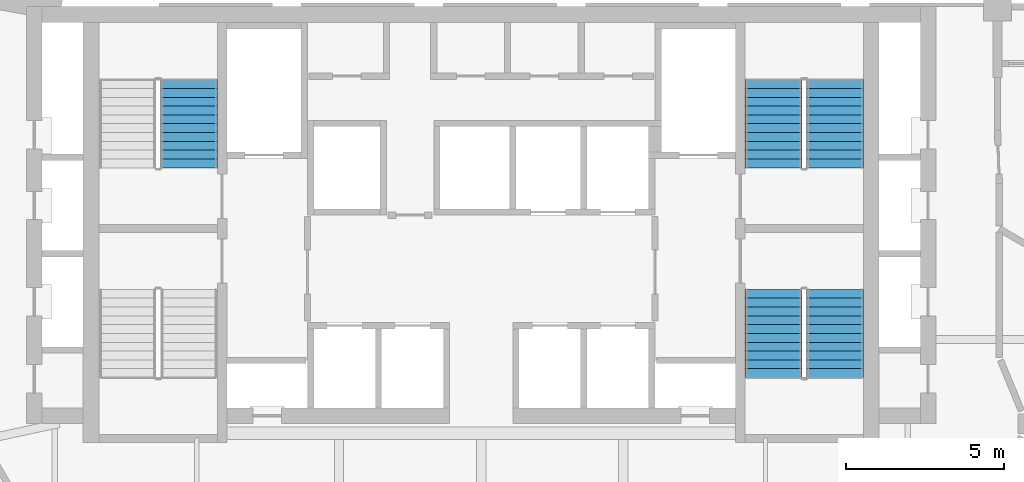
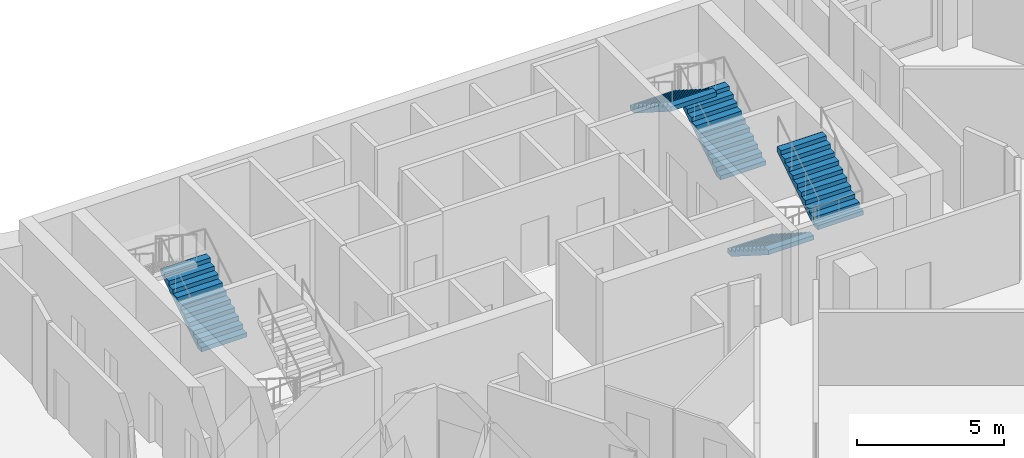
# One storey, part 8 of 9: 5 stair flights, 3 elements without a shape of their own.
"""IFC4 building model written with IfcOpenShell, lengths in metres."""

import ifcopenshell
import ifcopenshell.guid

model = None  # the IFC model being written
_history = None  # IfcOwnerHistory: only IFC2X3 demands one
_inside = {}  # id of a spatial element -> (the spatial element, [elements in it])
_under = {}  # id of a project, library or spatial element -> (it, [spatial elements below it])
_declared = {}  # id of a project -> (the project, [libraries it declares])
_typed = {}  # id of a type object -> (the type object, [elements of that type])
_made_of = {}  # id of a material, layer set ... -> (it, [elements and type objects made of it])


def new_model(schema):
    """Start an empty IFC model of exactly this schema.

    Asked for "IFC4X3", IfcOpenShell would pick the latest addendum, in which some entities
    have other attributes; the version numbers below select the first issue.
    IFC2X3 requires an IfcOwnerHistory on every rooted entity: one is made here for all.
    """
    global model, _history
    if schema == "IFC4X3":
        model = ifcopenshell.file(schema_version=(4, 3, 0, 0))
    else:
        model = ifcopenshell.file(schema=schema)
    _inside.clear()
    _under.clear()
    _declared.clear()
    _typed.clear()
    _made_of.clear()
    _history = None
    if model.schema == "IFC2X3":
        org = make("IfcOrganization", Name="unknown")
        user = make(
            "IfcPersonAndOrganization",
            ThePerson=make("IfcPerson", FamilyName="unknown"),
            TheOrganization=org,
        )
        app = make(
            "IfcApplication",
            ApplicationDeveloper=org,
            Version="unknown",
            ApplicationFullName="unknown",
            ApplicationIdentifier="unknown",
        )
        _history = make(
            "IfcOwnerHistory",
            OwningUser=user,
            OwningApplication=app,
            ChangeAction="ADDED",
            CreationDate=0,
        )
    return model


def make(cls, **values):
    """One entity of the class cls with the attributes given. An attribute that is None is left unset."""
    return model.create_entity(
        cls, **{name: value for name, value in values.items() if value is not None}
    )


def rooted(cls, **values):
    """An entity with a GlobalId (a new one), such as an element, a storey or a relation."""
    return make(cls, GlobalId=ifcopenshell.guid.new(), OwnerHistory=_history, **values)


def si_unit(unit_type, name, prefix=None):
    """IfcSIUnit, for example si_unit("LENGTHUNIT", "METRE", prefix="MILLI")."""
    return make("IfcSIUnit", UnitType=unit_type, Prefix=prefix, Name=name)


def assignment(units):
    """IfcUnitAssignment: the units of a project."""
    return None if units is None else make("IfcUnitAssignment", Units=units)


def point(xyz):
    """IfcCartesianPoint."""
    return None if xyz is None else make("IfcCartesianPoint", Coordinates=xyz)


def direction(xyz):
    """IfcDirection."""
    return None if xyz is None else make("IfcDirection", DirectionRatios=xyz)


def frame(location, z_axis=None, x_axis=None):
    """IfcAxis2Placement3D, a coordinate frame: its origin and axes. An axis left out is left unset."""
    return make(
        "IfcAxis2Placement3D",
        Location=point(location),
        Axis=direction(z_axis),
        RefDirection=direction(x_axis),
    )


def origin():
    """The frame at (0, 0, 0) with its axes left unset."""
    return frame((0.0, 0.0, 0.0))


def place(relative_to, where):
    """IfcLocalPlacement: puts the frame where relative to a parent placement (None: the world)."""
    return make(
        "IfcLocalPlacement", PlacementRelTo=relative_to, RelativePlacement=where
    )


def context(
    kind, dimensions, precision=None, world=None, true_north=None, identifier=None
):
    """IfcGeometricRepresentationContext, for example the 3D "Model" context."""
    return make(
        "IfcGeometricRepresentationContext",
        ContextIdentifier=identifier,
        ContextType=kind,
        CoordinateSpaceDimension=dimensions,
        Precision=precision,
        WorldCoordinateSystem=world,
        TrueNorth=true_north,
    )


def subcontext(parent, identifier, kind, view, scale=None):
    """IfcGeometricRepresentationSubContext, for example "Body" below "Model"."""
    return make(
        "IfcGeometricRepresentationSubContext",
        ContextIdentifier=identifier,
        ContextType=kind,
        ParentContext=parent,
        TargetScale=scale,
        TargetView=view,
    )


def project(units=None, contexts=None):
    """IfcProject with its units and contexts."""
    return rooted(
        "IfcProject",
        Name="project",
        RepresentationContexts=contexts,
        UnitsInContext=assignment(units),
    )


def spatial(cls, under=None, at=None, **own):
    """A site, building, storey or space (cls), placed at a placement, below another one or the project."""
    s = rooted(cls, ObjectPlacement=at, **own)
    if under is not None:
        _under.setdefault(under.id(), (under, []))[1].append(s)
    return s


def faces_of(points, faces, orient=None, outer=None):
    """IfcFace entities. A face is a list of loops; a loop is a list of indices into points, from 0.

    orient and outer hold one flag for each loop. By default every Orientation is true, the
    first loop of a face is its IfcFaceOuterBound and the others are IfcFaceBound.
    """
    made = []
    for i, loops in enumerate(faces):
        bounds = []
        for j, loop in enumerate(loops):
            is_outer = j == 0 if outer is None else outer[i][j]
            bounds.append(
                make(
                    "IfcFaceOuterBound" if is_outer else "IfcFaceBound",
                    Bound=make("IfcPolyLoop", Polygon=[points[k] for k in loop]),
                    Orientation=True if orient is None else orient[i][j],
                )
            )
        made.append(make("IfcFace", Bounds=bounds))
    return made


def faceted_brep(points, faces, orient=None, outer=None, voids=None):
    """IfcFacetedBrep: a solid bounded by flat faces; with voids (closed shells), ...WithVoids."""
    shared = [point(p) for p in points]
    hull = make("IfcClosedShell", CfsFaces=faces_of(shared, faces, orient, outer))
    if voids is None:
        return make("IfcFacetedBrep", Outer=hull)
    return make(
        "IfcFacetedBrepWithVoids",
        Outer=hull,
        Voids=[
            make(cls, CfsFaces=faces_of(shared, fs, o, b)) for cls, fs, o, b in voids
        ],
    )


def shape(context_of_items, identifier, shape_type, items):
    """IfcShapeRepresentation: the items that make up one representation, for example the "Body"."""
    return make(
        "IfcShapeRepresentation",
        ContextOfItems=context_of_items,
        RepresentationIdentifier=identifier,
        RepresentationType=shape_type,
        Items=items,
    )


def source(mapping_origin, context_of_items, identifier, shape_type, items):
    """IfcRepresentationMap: a shape defined once, which mapped items show again and again."""
    return make(
        "IfcRepresentationMap",
        MappingOrigin=mapping_origin,
        MappedRepresentation=shape(context_of_items, identifier, shape_type, items),
    )


def transform(
    local_origin,
    x_axis=None,
    y_axis=None,
    z_axis=None,
    scale=None,
    scale2=None,
    scale3=None,
    uniform=True,
):
    """IfcCartesianTransformationOperator3D, or its non-uniform kind. x_axis, y_axis, z_axis: its Axis1, 2, 3."""
    if uniform:
        return make(
            "IfcCartesianTransformationOperator3D",
            Axis1=direction(x_axis),
            Axis2=direction(y_axis),
            LocalOrigin=point(local_origin),
            Scale=scale,
            Axis3=direction(z_axis),
        )
    return make(
        "IfcCartesianTransformationOperator3DnonUniform",
        Axis1=direction(x_axis),
        Axis2=direction(y_axis),
        LocalOrigin=point(local_origin),
        Scale=scale,
        Axis3=direction(z_axis),
        Scale2=scale2,
        Scale3=scale3,
    )


def mapped(mapping_source, mapping_target):
    """IfcMappedItem: shows the shape of a source again, moved by a transform."""
    return make(
        "IfcMappedItem", MappingSource=mapping_source, MappingTarget=mapping_target
    )


def material(Name=None, Category=None):
    """IfcMaterial."""
    return make("IfcMaterial", Name=Name, Category=Category)


def made_of(thing, what):
    """Note that an element or type object is made of a material, layer set ...; save() writes the relation."""
    if what is not None:
        _made_of.setdefault(what.id(), (what, []))[1].append(thing)
    return thing


def type_object(cls, material=None, **own):
    """A type object (cls), such as IfcWallType, which elements share."""
    return made_of(rooted(cls, **own), material)


def element(
    cls,
    number,
    at=None,
    inside=None,
    cuts=None,
    type_object=None,
    material=None,
    context=None,
    identifier="Body",
    shape_type=None,
    held_by="IfcProductDefinitionShape",
    body=None,
    shapes=None,
    **own,
):
    """One element of the class cls, such as IfcWall. Its Tag is "e" and its number.

    at: its placement. inside: the storey or other place that contains it. cuts: it is an
    opening in that element (IfcRelVoidsElement). A single representation is given by context,
    identifier, shape_type and body (its items); several are given by shapes. held_by: the class
    of the entity that holds the representations. save() writes the other relations.
    """
    e = rooted(cls, Tag="e%d" % number, ObjectPlacement=at, **own)
    if body is not None:
        shapes = [shape(context, identifier, shape_type, body)]
    if shapes is not None:
        e.Representation = make(held_by, Representations=shapes)
    if inside is not None:
        _inside.setdefault(inside.id(), (inside, []))[1].append(e)
    if cuts is not None:
        rooted(
            "IfcRelVoidsElement", RelatingBuildingElement=cuts, RelatedOpeningElement=e
        )
    if type_object is not None:
        _typed.setdefault(type_object.id(), (type_object, []))[1].append(e)
    return made_of(e, material)


def aggregate(whole, parts):
    """IfcRelAggregates: a whole, such as a stair, and the parts it consists of."""
    return rooted("IfcRelAggregates", RelatingObject=whole, RelatedObjects=parts)


def save(model, path):
    """Write the relations noted so far, then the file.

    IfcRelAggregates (storeys below a building ...), IfcRelContainedInSpatialStructure (elements
    in a storey), IfcRelDefinesByType, IfcRelAssociatesMaterial and IfcRelDeclares: one each for
    every whole, place, type object, material and project.
    """
    for whole, parts in _under.values():
        aggregate(whole, parts)
    for where, things in _inside.values():
        rooted(
            "IfcRelContainedInSpatialStructure",
            RelatedElements=things,
            RelatingStructure=where,
        )
    for kind, things in _typed.values():
        rooted("IfcRelDefinesByType", RelatedObjects=things, RelatingType=kind)
    for what, things in _made_of.values():
        rooted("IfcRelAssociatesMaterial", RelatedObjects=things, RelatingMaterial=what)
    for by, libraries in _declared.values():
        rooted("IfcRelDeclares", RelatingContext=by, RelatedDefinitions=libraries)
    model.write(path)


model = new_model("IFC4")

# Units and contexts
model_context = context("Model", 3, precision=1e-05, world=origin(), true_north=direction((0.0, 1.0)))
body_context = subcontext(model_context, "Body", "Model", "MODEL_VIEW")
ifc_project = project(units=[si_unit("LENGTHUNIT", "METRE"), si_unit("AREAUNIT", "SQUARE_METRE"), si_unit("VOLUMEUNIT", "CUBIC_METRE"), si_unit("PLANEANGLEUNIT", "RADIAN"), si_unit("MASSUNIT", "GRAM", prefix="KILO")], contexts=[model_context])

# Site, building, storey
site_placement = place(None, origin())
site = spatial("IfcSite", under=ifc_project, at=site_placement, CompositionType="ELEMENT")
building_placement = place(site_placement, origin())
building = spatial("IfcBuilding", under=site, at=building_placement, Name="Calabash Gate Tower", CompositionType="ELEMENT")
storey_placement = place(building_placement, frame((0.0, 0.0, 223.699951171875)))
storey = spatial("IfcBuildingStorey", under=building, at=storey_placement, Name="L53", CompositionType="ELEMENT", Elevation=223.699951171875)

# Stair, stair flight
ifc_material_1 = material(Name="Concrete C40/50", Category="concrete")
stair_type = type_object("IfcStairType", Name="Exit stair 22 risers of 177.3 mm", PredefinedType="HALF_TURN_STAIR", material=ifc_material_1)
stair_1_placement = place(storey_placement, origin())
stair_1 = element("IfcStair", 1, at=stair_1_placement, inside=storey, type_object=stair_type, Name="L53 Exit stair ST1", PredefinedType="HALF_TURN_STAIR")
ifc_material_2 = material(Name="Concrete C40/50", Category="concrete")
stair_flight_type = type_object("IfcStairFlightType", Name="Exit stair flight SFL", PredefinedType="STRAIGHT", material=ifc_material_2)
shared_shape = source(origin(), body_context, "Body", "Brep", [
    faceted_brep([(-0.0009765625, -0.89990234375, 0.0), (0.279541015625, -0.89990234375, 0.0), (2.791015625, -0.89990234375, 1.59521484375), (-0.0009765625, 0.89990234375, 0.0), (2.791015625, 0.89990234375, 1.59521484375), (0.279541015625, 0.89990234375, 0.0), (2.791015625, -0.89990234375, 1.78466796875), (2.7900390625, -0.89990234375, 1.78466796875), (2.7900390625, 0.89990234375, 1.78466796875), (2.791015625, 0.89990234375, 1.78466796875), (2.7900390625, -0.89990234375, 1.772705078125), (2.7900390625, 0.89990234375, 1.772705078125), (2.510986328125, -0.89990234375, 1.772705078125), (2.510986328125, 0.89990234375, 1.772705078125), (2.510986328125, -0.89990234375, 1.595458984375), (2.510986328125, 0.89990234375, 1.595458984375), (2.23193359375, -0.89990234375, 1.595458984375), (2.23193359375, 0.89990234375, 1.595458984375), (2.23193359375, -0.89990234375, 1.418212890625), (2.23193359375, 0.89990234375, 1.418212890625), (1.952880859375, -0.89990234375, 1.418212890625), (1.952880859375, -0.89990234375, 1.240966796875), (1.952880859375, 0.89990234375, 1.240966796875), (1.952880859375, 0.89990234375, 1.418212890625), (1.674072265625, -0.89990234375, 1.240966796875), (1.674072265625, -0.89990234375, 1.063720703125), (1.674072265625, 0.89990234375, 1.063720703125), (1.674072265625, 0.89990234375, 1.240966796875), (1.39501953125, -0.89990234375, 1.063720703125), (1.39501953125, -0.89990234375, 0.886474609375), (1.39501953125, 0.89990234375, 0.886474609375), (1.39501953125, 0.89990234375, 1.063720703125), (1.115966796875, -0.89990234375, 0.886474609375), (1.115966796875, -0.89990234375, 0.708984375), (1.115966796875, 0.89990234375, 0.708984375), (1.115966796875, 0.89990234375, 0.886474609375), (0.8369140625, -0.89990234375, 0.708984375), (0.8369140625, -0.89990234375, 0.53173828125), (0.8369140625, 0.89990234375, 0.53173828125), (0.8369140625, 0.89990234375, 0.708984375), (0.55810546875, -0.89990234375, 0.53173828125), (0.55810546875, -0.89990234375, 0.3544921875), (0.55810546875, 0.89990234375, 0.3544921875), (0.55810546875, 0.89990234375, 0.53173828125), (0.279052734375, -0.89990234375, 0.3544921875), (0.279052734375, -0.89990234375, 0.17724609375), (0.279052734375, 0.89990234375, 0.17724609375), (0.279052734375, 0.89990234375, 0.3544921875), (-0.0009765625, -0.89990234375, 0.17724609375), (-0.0009765625, 0.89990234375, 0.17724609375), (0.279541015625, -0.360107421875, 0.0), (2.791015625, -0.360107421875, 1.59521484375), (0.279541015625, 0.0, 0.0), (2.791015625, 0.0, 1.59521484375), (0.279541015625, 0.360107421875, 0.0), (2.791015625, 0.360107421875, 1.59521484375), (2.791015625, -0.360107421875, 1.78466796875), (2.791015625, 0.0, 1.78466796875), (2.791015625, 0.360107421875, 1.78466796875), (2.7900390625, -0.360107421875, 1.78466796875), (2.7900390625, 0.0, 1.78466796875), (2.7900390625, 0.360107421875, 1.78466796875), (2.7900390625, -0.360107421875, 1.772705078125), (2.7900390625, 0.0, 1.772705078125), (2.7900390625, 0.360107421875, 1.772705078125), (2.510986328125, -0.360107421875, 1.772705078125), (2.510986328125, 0.0, 1.772705078125), (2.510986328125, 0.360107421875, 1.772705078125), (2.510986328125, -0.360107421875, 1.595458984375), (2.510986328125, 0.0, 1.595458984375), (2.510986328125, 0.360107421875, 1.595458984375), (2.23193359375, -0.360107421875, 1.595458984375), (2.23193359375, 0.0, 1.595458984375), (2.23193359375, 0.360107421875, 1.595458984375), (2.23193359375, -0.360107421875, 1.418212890625), (2.23193359375, 0.0, 1.418212890625), (2.23193359375, 0.360107421875, 1.418212890625), (1.952880859375, -0.360107421875, 1.418212890625), (1.952880859375, 0.0, 1.418212890625), (1.952880859375, 0.360107421875, 1.418212890625), (1.952880859375, -0.360107421875, 1.240966796875), (1.952880859375, 0.0, 1.240966796875), (1.952880859375, 0.360107421875, 1.240966796875), (1.674072265625, -0.360107421875, 1.240966796875), (1.674072265625, 0.0, 1.240966796875), (1.674072265625, 0.360107421875, 1.240966796875), (1.674072265625, -0.360107421875, 1.063720703125), (1.674072265625, 0.0, 1.063720703125), (1.674072265625, 0.360107421875, 1.063720703125), (1.39501953125, -0.360107421875, 1.063720703125), (1.39501953125, 0.0, 1.063720703125), (1.39501953125, 0.360107421875, 1.063720703125), (1.39501953125, -0.360107421875, 0.886474609375), (1.39501953125, 0.0, 0.886474609375), (1.39501953125, 0.360107421875, 0.886474609375), (1.115966796875, -0.360107421875, 0.886474609375), (1.115966796875, 0.0, 0.886474609375), (1.115966796875, 0.360107421875, 0.886474609375), (1.115966796875, -0.360107421875, 0.708984375), (1.115966796875, 0.0, 0.708984375), (1.115966796875, 0.360107421875, 0.708984375), (0.8369140625, -0.360107421875, 0.708984375), (0.8369140625, 0.0, 0.708984375), (0.8369140625, 0.360107421875, 0.708984375), (0.8369140625, -0.360107421875, 0.53173828125), (0.8369140625, 0.0, 0.53173828125), (0.8369140625, 0.360107421875, 0.53173828125), (0.55810546875, -0.360107421875, 0.53173828125), (0.55810546875, 0.0, 0.53173828125), (0.55810546875, 0.360107421875, 0.53173828125), (0.55810546875, -0.360107421875, 0.3544921875), (0.55810546875, 0.0, 0.3544921875), (0.55810546875, 0.360107421875, 0.3544921875), (0.279052734375, -0.360107421875, 0.3544921875), (0.279052734375, 0.0, 0.3544921875), (0.279052734375, 0.360107421875, 0.3544921875), (0.279052734375, -0.360107421875, 0.17724609375), (0.279052734375, 0.0, 0.17724609375), (0.279052734375, 0.360107421875, 0.17724609375), (-0.0009765625, -0.360107421875, 0.17724609375), (-0.0009765625, 0.0, 0.17724609375), (-0.0009765625, 0.360107421875, 0.17724609375), (-0.0009765625, -0.360107421875, 0.0), (-0.0009765625, 0.0, 0.0), (-0.0009765625, 0.360107421875, 0.0)], [[[0, 1, 2]], [[3, 4, 5]], [[2, 6, 7]], [[4, 8, 9]], [[2, 7, 10]], [[4, 11, 8]], [[2, 10, 12]], [[4, 13, 11]], [[2, 12, 14]], [[4, 15, 13]], [[2, 14, 16]], [[4, 17, 15]], [[2, 16, 18]], [[4, 19, 17]], [[18, 20, 21]], [[19, 22, 23]], [[2, 18, 21]], [[4, 22, 19]], [[21, 24, 25]], [[22, 26, 27]], [[2, 21, 25]], [[4, 26, 22]], [[25, 28, 29]], [[26, 30, 31]], [[2, 25, 29]], [[4, 30, 26]], [[29, 32, 33]], [[30, 34, 35]], [[2, 29, 33]], [[4, 34, 30]], [[33, 36, 37]], [[34, 38, 39]], [[2, 33, 37]], [[4, 38, 34]], [[37, 40, 41]], [[38, 42, 43]], [[2, 37, 41]], [[4, 42, 38]], [[41, 44, 45]], [[42, 46, 47]], [[2, 41, 45]], [[4, 46, 42]], [[0, 2, 45]], [[3, 46, 4]], [[45, 48, 0]], [[46, 3, 49]], [[1, 50, 2]], [[50, 51, 2]], [[50, 52, 51]], [[52, 53, 51]], [[52, 54, 55]], [[52, 55, 53]], [[54, 5, 4]], [[54, 4, 55]], [[2, 51, 6]], [[51, 56, 6]], [[51, 53, 56]], [[53, 57, 56]], [[53, 55, 58]], [[53, 58, 57]], [[55, 4, 9]], [[55, 9, 58]], [[6, 56, 7]], [[56, 59, 7]], [[56, 57, 59]], [[57, 60, 59]], [[57, 58, 61]], [[57, 61, 60]], [[58, 9, 8]], [[58, 8, 61]], [[7, 59, 10]], [[59, 62, 10]], [[59, 60, 62]], [[60, 63, 62]], [[60, 61, 64]], [[60, 64, 63]], [[61, 8, 11]], [[61, 11, 64]], [[10, 62, 12]], [[62, 65, 12]], [[62, 63, 65]], [[63, 66, 65]], [[63, 64, 67]], [[63, 67, 66]], [[64, 11, 13]], [[64, 13, 67]], [[12, 65, 14]], [[65, 68, 14]], [[65, 66, 68]], [[66, 69, 68]], [[66, 67, 70]], [[66, 70, 69]], [[67, 13, 15]], [[67, 15, 70]], [[14, 68, 16]], [[68, 71, 16]], [[68, 69, 71]], [[69, 72, 71]], [[69, 70, 73]], [[69, 73, 72]], [[70, 15, 17]], [[70, 17, 73]], [[16, 71, 18]], [[71, 74, 18]], [[71, 72, 74]], [[72, 75, 74]], [[72, 73, 76]], [[72, 76, 75]], [[73, 17, 19]], [[73, 19, 76]], [[18, 74, 20]], [[74, 77, 20]], [[74, 75, 77]], [[75, 78, 77]], [[75, 76, 79]], [[75, 79, 78]], [[76, 19, 23]], [[76, 23, 79]], [[20, 77, 21]], [[77, 80, 21]], [[77, 78, 80]], [[78, 81, 80]], [[78, 79, 82]], [[78, 82, 81]], [[79, 23, 22]], [[79, 22, 82]], [[21, 80, 24]], [[80, 83, 24]], [[80, 81, 83]], [[81, 84, 83]], [[81, 82, 85]], [[81, 85, 84]], [[82, 22, 27]], [[82, 27, 85]], [[24, 83, 25]], [[83, 86, 25]], [[83, 84, 86]], [[84, 87, 86]], [[84, 85, 88]], [[84, 88, 87]], [[85, 27, 26]], [[85, 26, 88]], [[25, 86, 28]], [[86, 89, 28]], [[86, 87, 89]], [[87, 90, 89]], [[87, 88, 91]], [[87, 91, 90]], [[88, 26, 31]], [[88, 31, 91]], [[28, 89, 29]], [[89, 92, 29]], [[89, 90, 92]], [[90, 93, 92]], [[90, 91, 94]], [[90, 94, 93]], [[91, 31, 30]], [[91, 30, 94]], [[29, 92, 32]], [[92, 95, 32]], [[92, 93, 95]], [[93, 96, 95]], [[93, 94, 97]], [[93, 97, 96]], [[94, 30, 35]], [[94, 35, 97]], [[32, 95, 33]], [[95, 98, 33]], [[95, 96, 98]], [[96, 99, 98]], [[96, 97, 100]], [[96, 100, 99]], [[97, 35, 34]], [[97, 34, 100]], [[33, 98, 36]], [[98, 101, 36]], [[98, 99, 101]], [[99, 102, 101]], [[99, 100, 103]], [[99, 103, 102]], [[100, 34, 39]], [[100, 39, 103]], [[36, 101, 37]], [[101, 104, 37]], [[101, 102, 104]], [[102, 105, 104]], [[102, 103, 106]], [[102, 106, 105]], [[103, 39, 38]], [[103, 38, 106]], [[37, 104, 40]], [[104, 107, 40]], [[104, 105, 107]], [[105, 108, 107]], [[105, 106, 109]], [[105, 109, 108]], [[106, 38, 43]], [[106, 43, 109]], [[40, 107, 41]], [[107, 110, 41]], [[107, 108, 110]], [[108, 111, 110]], [[108, 109, 112]], [[108, 112, 111]], [[109, 43, 42]], [[109, 42, 112]], [[41, 110, 44]], [[110, 113, 44]], [[110, 111, 113]], [[111, 114, 113]], [[111, 112, 115]], [[111, 115, 114]], [[112, 42, 47]], [[112, 47, 115]], [[44, 113, 45]], [[113, 116, 45]], [[113, 114, 116]], [[114, 117, 116]], [[114, 115, 118]], [[114, 118, 117]], [[115, 47, 46]], [[115, 46, 118]], [[45, 116, 48]], [[116, 119, 48]], [[116, 117, 119]], [[117, 120, 119]], [[117, 118, 121]], [[117, 121, 120]], [[118, 46, 49]], [[118, 49, 121]], [[48, 119, 0]], [[119, 122, 0]], [[119, 120, 122]], [[120, 123, 122]], [[120, 121, 124]], [[120, 124, 123]], [[121, 49, 3]], [[121, 3, 124]], [[0, 122, 1]], [[122, 50, 1]], [[122, 123, 50]], [[123, 52, 50]], [[123, 124, 54]], [[123, 54, 52]], [[124, 3, 5]], [[124, 5, 54]]]),
])
stair_flight_1_placement = place(storey_placement, frame((-9.25, 13.95263671875, 0.0), z_axis=(0.0, 0.0, 1.0), x_axis=(0.0, 1.0, 0.0)))
stair_flight_1 = element("IfcStairFlight", 2, at=stair_flight_1_placement, type_object=stair_flight_type, Name="ST1 flight 1", NumberOfRisers=11, NumberOfTreads=10, PredefinedType="STRAIGHT", RiserHeight=0.177272727, TreadLength=0.279, context=body_context, shape_type="MappedRepresentation", body=[
    mapped(shared_shape, transform((0.0, 0.0, 0.0), scale=1.0)),
])
aggregate(stair_1, [stair_flight_1])

# Stair, stair flights
stair_2_placement = place(storey_placement, origin())
stair_2 = element("IfcStair", 3, at=stair_2_placement, inside=storey, type_object=stair_type, Name="L53 Exit stair ST3", PredefinedType="HALF_TURN_STAIR")
stair_flight_2_placement = place(storey_placement, frame((11.199951171875, 13.95263671875, 0.0), z_axis=(0.0, 0.0, 1.0), x_axis=(0.0, 1.0, 0.0)))
stair_flight_2 = element("IfcStairFlight", 4, at=stair_flight_2_placement, type_object=stair_flight_type, Name="ST3 flight 1", NumberOfRisers=11, NumberOfTreads=10, PredefinedType="STRAIGHT", RiserHeight=0.177272727, TreadLength=0.279, context=body_context, shape_type="MappedRepresentation", body=[
    mapped(shared_shape, transform((0.0, 0.0, 0.0), scale=1.0)),
])
stair_flight_3_placement = place(storey_placement, frame((9.25, 16.74267578125, 1.949951171875), z_axis=(0.0, 0.0, 1.0), x_axis=(0.0, -1.0, 0.0)))
stair_flight_3 = element("IfcStairFlight", 5, at=stair_flight_3_placement, type_object=stair_flight_type, Name="ST3 flight 2", NumberOfRisers=11, NumberOfTreads=10, PredefinedType="STRAIGHT", RiserHeight=0.177272727, TreadLength=0.279, context=body_context, shape_type="MappedRepresentation", body=[
    mapped(shared_shape, transform((0.0, 0.0, 0.0), scale=1.0)),
])
aggregate(stair_2, [stair_flight_2, stair_flight_3])

stair_3_placement = place(storey_placement, origin())
stair_3 = element("IfcStair", 6, at=stair_3_placement, inside=storey, type_object=stair_type, Name="L53 Exit stair ST4", PredefinedType="HALF_TURN_STAIR")
stair_flight_4_placement = place(storey_placement, frame((9.25, 10.1025390625, 0.0), z_axis=(0.0, 0.0, 1.0), x_axis=(0.0, -1.0, 0.0)))
stair_flight_4 = element("IfcStairFlight", 7, at=stair_flight_4_placement, type_object=stair_flight_type, Name="ST4 flight 1", NumberOfRisers=11, NumberOfTreads=10, PredefinedType="STRAIGHT", RiserHeight=0.177272727, TreadLength=0.279, context=body_context, shape_type="MappedRepresentation", body=[
    mapped(shared_shape, transform((0.0, 0.0, 0.0), scale=1.0)),
])
stair_flight_5_placement = place(storey_placement, frame((11.199951171875, 7.3125, 1.949951171875), z_axis=(0.0, 0.0, 1.0), x_axis=(0.0, 1.0, 0.0)))
stair_flight_5 = element("IfcStairFlight", 8, at=stair_flight_5_placement, type_object=stair_flight_type, Name="ST4 flight 2", NumberOfRisers=11, NumberOfTreads=10, PredefinedType="STRAIGHT", RiserHeight=0.177272727, TreadLength=0.279, context=body_context, shape_type="MappedRepresentation", body=[
    mapped(shared_shape, transform((0.0, 0.0, 0.0), scale=1.0)),
])
aggregate(stair_3, [stair_flight_4, stair_flight_5])

save(model, "model.ifc")
